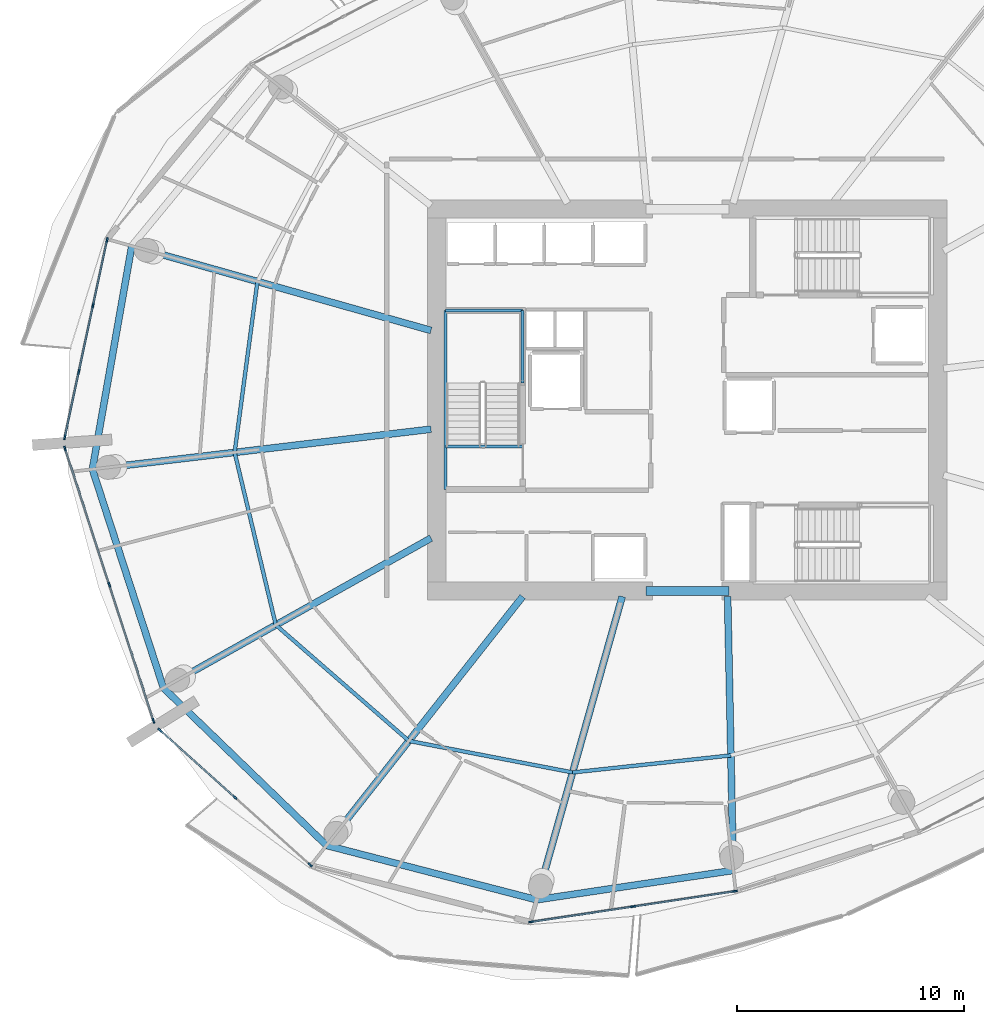
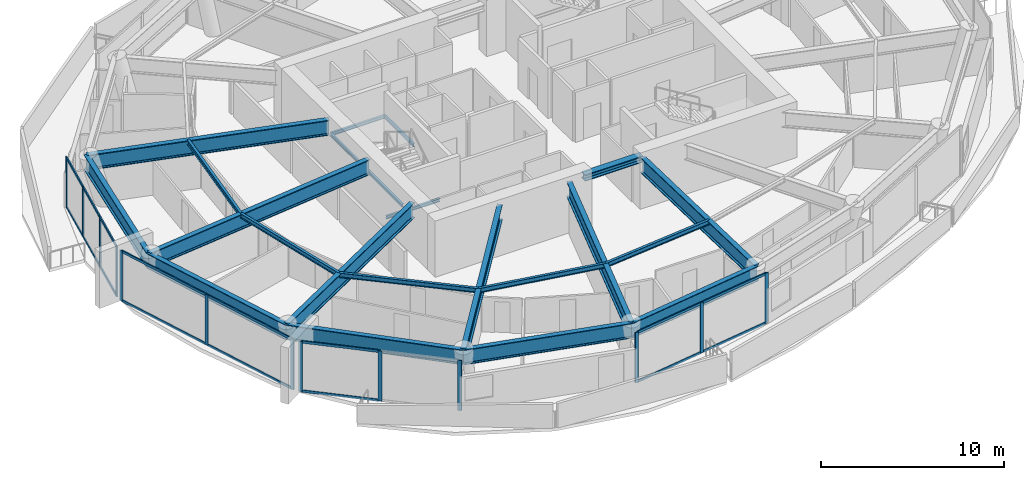
# One storey, part 5 of 19: 29 members, 21 beams, 4 elements without a shape of their own.
"""IFC4 building model written with IfcOpenShell, lengths in metres."""

from ifc_helpers import new_model, si_unit, direction, frame, origin, origin_2d, place, context, subcontext, project, spatial, rectangle, i_section, extrude, material, layer, layer_set, material_profile, profile_set, type_object, element, aggregate, save


model = new_model("IFC4")

# Units and contexts
model_context = context("Model", 3, precision=1e-05, world=origin(), true_north=direction((0.0, 1.0)))
body_context = subcontext(model_context, "Body", "Model", "MODEL_VIEW")
ifc_project = project(units=[si_unit("LENGTHUNIT", "METRE"), si_unit("AREAUNIT", "SQUARE_METRE"), si_unit("VOLUMEUNIT", "CUBIC_METRE"), si_unit("PLANEANGLEUNIT", "RADIAN"), si_unit("MASSUNIT", "GRAM", prefix="KILO")], contexts=[model_context])

# Site, building, storey
site_placement = place(None, origin())
site = spatial("IfcSite", under=ifc_project, at=site_placement, CompositionType="ELEMENT")
building_placement = place(site_placement, origin())
building = spatial("IfcBuilding", under=site, at=building_placement, Name="Kazma Halo Residences", CompositionType="ELEMENT")
storey_placement = place(building_placement, frame((0.0, 0.0, 172.800048828125)))
storey = spatial("IfcBuildingStorey", under=building, at=storey_placement, Name="L43", CompositionType="ELEMENT", Elevation=172.800048828125)

# Beams
ifc_material_1 = material(Name="Steel S355", Category="steel")
ifc_material_profile_1 = material_profile(ifc_material_1, i_section(OverallWidth=0.408935546875, OverallDepth=0.425048828125, WebThickness=0.03271484375, FlangeThickness=0.052490234375, FilletRadius=0.02001953125, at=origin_2d()), Name="W360x421")
ifc_profile_set_1 = profile_set([ifc_material_profile_1], Name="Steel S355")
beam_type_1 = type_object("IfcBeamType", Name="BM-CORE-W360H", PredefinedType="BEAM", material=ifc_profile_set_1)
beam_1_placement = place(storey_placement, frame((46.60009765625, 33.60009765625, 3.137451171875), z_axis=(1.0, 0.0, 0.0), x_axis=(0.0, 1.0, 0.0)))
element("IfcBeam", 1, at=beam_1_placement, inside=storey, type_object=beam_type_1, Name="L43 core coupling beam S", PredefinedType="BEAM", context=body_context, shape_type="SweptSolid", body=[
    extrude(i_section(OverallWidth=0.408935546875, OverallDepth=0.425048828125, WebThickness=0.03271484375, FlangeThickness=0.052490234375, FilletRadius=0.02001953125, at=origin_2d()), origin(), (0.0, 0.0, 1.0), 3.64990234375),
])
ifc_material_profile_2 = material_profile(ifc_material_1, i_section(OverallWidth=0.1650390625, OverallDepth=0.31005859375, WebThickness=0.005859375, FlangeThickness=0.009765625, FilletRadius=0.011962890625, at=origin_2d()), Name="W310x38.7")
ifc_profile_set_2 = profile_set([ifc_material_profile_2], Name="Steel S355")
beam_type_2 = type_object("IfcBeamType", Name="BM-SEC-W310B", PredefinedType="JOIST", material=ifc_profile_set_2)
beam_2_placement = place(storey_placement, frame((29.51171875, 47.21435546875, 3.195068359375), z_axis=(-0.132393425989, -0.99119724614, 0.0), x_axis=(0.99119724614, -0.132393425989, 0.0)))
element("IfcBeam", 2, at=beam_2_placement, inside=storey, type_object=beam_type_2, Name="L43 circumferential floor joist 07", PredefinedType="JOIST", context=body_context, shape_type="SweptSolid", body=[
    extrude(i_section(OverallWidth=0.1650390625, OverallDepth=0.31005859375, WebThickness=0.005859375, FlangeThickness=0.009765625, FilletRadius=0.011962890625, at=origin_2d()), origin(), (0.0, 0.0, 1.0), 7.58837890625),
])
beam_3_placement = place(storey_placement, frame((28.507080078125, 39.69287109375, 3.195068359375), z_axis=(0.232250396636, -0.972656030291, 0.0), x_axis=(0.972656030291, 0.232250396636, 0.0)))
element("IfcBeam", 3, at=beam_3_placement, inside=storey, type_object=beam_type_2, Name="L43 circumferential floor joist 08", PredefinedType="JOIST", context=body_context, shape_type="SweptSolid", body=[
    extrude(i_section(OverallWidth=0.1650390625, OverallDepth=0.31005859375, WebThickness=0.005859375, FlangeThickness=0.009765625, FilletRadius=0.011962890625, at=origin_2d()), origin(), (0.0, 0.0, 1.0), 7.80712890625),
])
beam_4_placement = place(storey_placement, frame((30.3203125, 32.09912109375, 3.195068359375), z_axis=(0.7540338673, -0.656835540272, 0.0), x_axis=(0.656835540272, 0.7540338673, 0.0)))
element("IfcBeam", 4, at=beam_4_placement, inside=storey, type_object=beam_type_2, Name="L43 circumferential floor joist 09", PredefinedType="JOIST", context=body_context, shape_type="SweptSolid", body=[
    extrude(i_section(OverallWidth=0.1650390625, OverallDepth=0.31005859375, WebThickness=0.005859375, FlangeThickness=0.009765625, FilletRadius=0.011962890625, at=origin_2d()), origin(), (0.0, 0.0, 1.0), 7.763916015625),
])
beam_5_placement = place(storey_placement, frame((36.174560546875, 26.99951171875, 3.195068359375), z_axis=(0.981944913609, -0.18916708656, 0.0), x_axis=(0.18916708656, 0.981944913609, 0.0)))
element("IfcBeam", 5, at=beam_5_placement, inside=storey, type_object=beam_type_2, Name="L43 circumferential floor joist 10", PredefinedType="JOIST", context=body_context, shape_type="SweptSolid", body=[
    extrude(i_section(OverallWidth=0.1650390625, OverallDepth=0.31005859375, WebThickness=0.005859375, FlangeThickness=0.009765625, FilletRadius=0.011962890625, at=origin_2d()), origin(), (0.0, 0.0, 1.0), 7.3359375),
])
beam_6_placement = place(storey_placement, frame((43.3779296875, 25.61181640625, 3.195068359375), z_axis=(0.994266765045, 0.106928012823, 0.0), x_axis=(-0.106928012823, 0.994266765045, 0.0)))
element("IfcBeam", 6, at=beam_6_placement, inside=storey, type_object=beam_type_2, Name="L43 circumferential floor joist 11", PredefinedType="JOIST", context=body_context, shape_type="SweptSolid", body=[
    extrude(i_section(OverallWidth=0.1650390625, OverallDepth=0.31005859375, WebThickness=0.005859375, FlangeThickness=0.009765625, FilletRadius=0.011962890625, at=origin_2d()), origin(), (0.0, 0.0, 1.0), 7.00732421875),
])
ifc_material_profile_3 = material_profile(ifc_material_1, i_section(OverallWidth=0.302001953125, OverallDepth=1.01806640625, WebThickness=0.021484375, FlangeThickness=0.049072265625, FilletRadius=0.028076171875, at=origin_2d()), Name="W1000x443")
ifc_profile_set_3 = profile_set([ifc_material_profile_3], Name="Steel S355")
beam_type_3 = type_object("IfcBeamType", Name="BM-TRANS-W1000A", PredefinedType="BEAM", material=ifc_profile_set_3)
beam_7_placement = place(storey_placement, frame((37.14990234375, 45.06005859375, 2.841064453125), z_axis=(-0.962452903132, 0.271448723064, 0.0), x_axis=(-0.271448723064, -0.962452903132, 0.0)))
element("IfcBeam", 7, at=beam_7_placement, inside=storey, type_object=beam_type_3, Name="L43 podium radial transfer girder 07", PredefinedType="BEAM", context=body_context, shape_type="SweptSolid", body=[
    extrude(i_section(OverallWidth=0.302001953125, OverallDepth=1.01806640625, WebThickness=0.021484375, FlangeThickness=0.049072265625, FilletRadius=0.028076171875, at=origin_2d()), origin(), (0.0, 0.0, 1.0), 13.683349609375),
])
beam_8_placement = place(storey_placement, frame((37.14990234375, 40.7158203125, 2.841064453125), z_axis=(-0.993068846291, -0.117534107928, 0.0), x_axis=(0.117534107928, -0.993068846291, 0.0)))
element("IfcBeam", 8, at=beam_8_placement, inside=storey, type_object=beam_type_3, Name="L43 podium radial transfer girder 08", PredefinedType="BEAM", context=body_context, shape_type="SweptSolid", body=[
    extrude(i_section(OverallWidth=0.302001953125, OverallDepth=1.01806640625, WebThickness=0.021484375, FlangeThickness=0.049072265625, FilletRadius=0.028076171875, at=origin_2d()), origin(), (0.0, 0.0, 1.0), 15.005615234375),
])
beam_9_placement = place(storey_placement, frame((37.14990234375, 35.923583984375, 2.841064453125), z_axis=(-0.872496761299, -0.488619894727, 0.0), x_axis=(0.488619894727, -0.872496761299, 0.0)))
element("IfcBeam", 9, at=beam_9_placement, inside=storey, type_object=beam_type_3, Name="L43 podium radial transfer girder 09", PredefinedType="BEAM", context=body_context, shape_type="SweptSolid", body=[
    extrude(i_section(OverallWidth=0.302001953125, OverallDepth=1.01806640625, WebThickness=0.021484375, FlangeThickness=0.049072265625, FilletRadius=0.028076171875, at=origin_2d()), origin(), (0.0, 0.0, 1.0), 13.49560546875),
])
beam_10_placement = place(storey_placement, frame((41.180908203125, 33.35009765625, 2.841064453125), z_axis=(-0.619099088923, -0.785312879109, 0.0), x_axis=(0.785312879109, -0.619099088923, 0.0)))
element("IfcBeam", 10, at=beam_10_placement, inside=storey, type_object=beam_type_3, Name="L43 podium radial transfer girder 10", PredefinedType="BEAM", context=body_context, shape_type="SweptSolid", body=[
    extrude(i_section(OverallWidth=0.302001953125, OverallDepth=1.01806640625, WebThickness=0.021484375, FlangeThickness=0.049072265625, FilletRadius=0.028076171875, at=origin_2d()), origin(), (0.0, 0.0, 1.0), 13.942138671875),
])
beam_11_placement = place(storey_placement, frame((45.560302734375, 33.35009765625, 2.841064453125), z_axis=(-0.27143506632, -0.962456754754, 0.0), x_axis=(0.962456754754, -0.27143506632, 0.0)))
element("IfcBeam", 11, at=beam_11_placement, inside=storey, type_object=beam_type_3, Name="L43 podium radial transfer girder 11", PredefinedType="BEAM", context=body_context, shape_type="SweptSolid", body=[
    extrude(i_section(OverallWidth=0.302001953125, OverallDepth=1.01806640625, WebThickness=0.021484375, FlangeThickness=0.049072265625, FilletRadius=0.028076171875, at=origin_2d()), origin(), (0.0, 0.0, 1.0), 13.8623046875),
])
beam_12_placement = place(storey_placement, frame((50.199951171875, 33.35009765625, 2.841064453125), z_axis=(0.020742760396, -0.9997848458, 0.0), x_axis=(0.9997848458, 0.020742760396, 0.0)))
element("IfcBeam", 12, at=beam_12_placement, inside=storey, type_object=beam_type_3, Name="L43 podium radial transfer girder 12", PredefinedType="BEAM", context=body_context, shape_type="SweptSolid", body=[
    extrude(i_section(OverallWidth=0.302001953125, OverallDepth=1.01806640625, WebThickness=0.021484375, FlangeThickness=0.049072265625, FilletRadius=0.028076171875, at=origin_2d()), origin(), (0.0, 0.0, 1.0), 12.052490234375),
])
ifc_material_profile_4 = material_profile(ifc_material_1, i_section(OverallWidth=0.300048828125, OverallDepth=1.0, WebThickness=0.01904296875, FlangeThickness=0.0400390625, FilletRadius=0.02587890625, at=origin_2d()), Name="W1000x371")
ifc_profile_set_4 = profile_set([ifc_material_profile_4], Name="Steel S355")
beam_type_4 = type_object("IfcBeamType", Name="BM-TRANS-W1000B", PredefinedType="BEAM", material=ifc_profile_set_4)
beam_13_placement = place(storey_placement, frame((23.980224609375, 48.7744140625, 2.849853515625), z_axis=(-0.173648484202, -0.984807698962, 0.0), x_axis=(0.984807698962, -0.173648484202, 0.0)))
element("IfcBeam", 13, at=beam_13_placement, inside=storey, type_object=beam_type_4, Name="L43 perimeter ring beam 07", PredefinedType="BEAM", context=body_context, shape_type="SweptSolid", body=[
    extrude(i_section(OverallWidth=0.300048828125, OverallDepth=1.0, WebThickness=0.01904296875, FlangeThickness=0.0400390625, FilletRadius=0.02587890625, at=origin_2d()), origin(), (0.0, 0.0, 1.0), 9.973876953125),
])
beam_14_placement = place(storey_placement, frame((22.248291015625, 38.9521484375, 2.849853515625), z_axis=(0.309023327426, -0.951054458539, 0.0), x_axis=(0.951054458539, 0.309023327426, 0.0)))
element("IfcBeam", 14, at=beam_14_placement, inside=storey, type_object=beam_type_4, Name="L43 perimeter ring beam 08", PredefinedType="BEAM", context=body_context, shape_type="SweptSolid", body=[
    extrude(i_section(OverallWidth=0.300048828125, OverallDepth=1.0, WebThickness=0.01904296875, FlangeThickness=0.0400390625, FilletRadius=0.02587890625, at=origin_2d()), origin(), (0.0, 0.0, 1.0), 10.117919921875),
])
beam_15_placement = place(storey_placement, frame((25.375, 29.329345703125, 2.849853515625), z_axis=(0.71933650181, -0.694661786169, 0.0), x_axis=(0.694661786169, 0.71933650181, 0.0)))
element("IfcBeam", 15, at=beam_15_placement, inside=storey, type_object=beam_type_4, Name="L43 perimeter ring beam 09", PredefinedType="BEAM", context=body_context, shape_type="SweptSolid", body=[
    extrude(i_section(OverallWidth=0.300048828125, OverallDepth=1.0, WebThickness=0.01904296875, FlangeThickness=0.0400390625, FilletRadius=0.02587890625, at=origin_2d()), origin(), (0.0, 0.0, 1.0), 9.9736328125),
])
beam_16_placement = place(storey_placement, frame((32.54931640625, 22.401123046875, 2.849853515625), z_axis=(0.968120950739, -0.25048318255, 0.0), x_axis=(0.25048318255, 0.968120950739, 0.0)))
element("IfcBeam", 16, at=beam_16_placement, inside=storey, type_object=beam_type_4, Name="L43 perimeter ring beam 10", PredefinedType="BEAM", context=body_context, shape_type="SweptSolid", body=[
    extrude(i_section(OverallWidth=0.300048828125, OverallDepth=1.0, WebThickness=0.01904296875, FlangeThickness=0.0400390625, FilletRadius=0.02587890625, at=origin_2d()), origin(), (0.0, 0.0, 1.0), 9.552734375),
])
beam_17_placement = place(storey_placement, frame((41.797607421875, 20.00830078125, 2.849853515625), z_axis=(0.98903439143, 0.147685383732, 0.0), x_axis=(-0.147685383732, 0.98903439143, 0.0)))
element("IfcBeam", 17, at=beam_17_placement, inside=storey, type_object=beam_type_4, Name="L43 perimeter ring beam 11", PredefinedType="BEAM", context=body_context, shape_type="SweptSolid", body=[
    extrude(i_section(OverallWidth=0.300048828125, OverallDepth=1.0, WebThickness=0.01904296875, FlangeThickness=0.0400390625, FilletRadius=0.02587890625, at=origin_2d()), origin(), (0.0, 0.0, 1.0), 8.748291015625),
])
ifc_material_profile_5 = material_profile(ifc_material_1, i_section(OverallWidth=0.133056640625, OverallDepth=0.20703125, WebThickness=0.005859375, FlangeThickness=0.00830078125, FilletRadius=0.010009765625, at=origin_2d()), Name="W200x26.6")
ifc_profile_set_5 = profile_set([ifc_material_profile_5], Name="Steel S355")
beam_type_5 = type_object("IfcBeamType", Name="BM-TRIM-W200", PredefinedType="BEAM", material=ifc_profile_set_5)
beam_18_placement = place(storey_placement, frame((37.800048828125, 39.949951171875, -0.360107421875), z_axis=(1.0, 0.0, 0.0), x_axis=(0.0, 1.0, 0.0)))
element("IfcBeam", 18, at=beam_18_placement, inside=storey, type_object=beam_type_5, Name="L43 ST-01 floor landing support beam", PredefinedType="BEAM", context=body_context, shape_type="SweptSolid", body=[
    extrude(i_section(OverallWidth=0.133056640625, OverallDepth=0.20703125, WebThickness=0.005859375, FlangeThickness=0.00830078125, FilletRadius=0.010009765625, at=origin_2d()), origin(), (0.0, 0.0, 1.0), 3.3798828125),
])
beam_19_placement = place(storey_placement, frame((37.780029296875, 38.06005859375, 1.570068359375), z_axis=(0.0, 1.0, 0.0), x_axis=(-1.0, 0.0, 0.0)))
element("IfcBeam", 19, at=beam_19_placement, inside=storey, type_object=beam_type_5, Name="L43 ST-01 landing west wall ledger", PredefinedType="BEAM", context=body_context, shape_type="SweptSolid", body=[
    extrude(i_section(OverallWidth=0.133056640625, OverallDepth=0.20703125, WebThickness=0.005859375, FlangeThickness=0.00830078125, FilletRadius=0.010009765625, at=origin_2d()), origin(), (0.0, 0.0, 1.0), 7.8798828125),
])
beam_20_placement = place(storey_placement, frame((41.179931640625, 42.75, 1.570068359375), z_axis=(0.0, 1.0, 0.0), x_axis=(-1.0, 0.0, 0.0)))
element("IfcBeam", 20, at=beam_20_placement, inside=storey, type_object=beam_type_5, Name="L43 ST-01 landing east wall ledger", PredefinedType="BEAM", context=body_context, shape_type="SweptSolid", body=[
    extrude(i_section(OverallWidth=0.133056640625, OverallDepth=0.20703125, WebThickness=0.005859375, FlangeThickness=0.00830078125, FilletRadius=0.010009765625, at=origin_2d()), origin(), (0.0, 0.0, 1.0), 3.18994140625),
])
beam_21_placement = place(storey_placement, frame((37.780029296875, 45.93994140625, 1.570068359375), z_axis=(1.0, 0.0, 0.0), x_axis=(0.0, 1.0, 0.0)))
element("IfcBeam", 21, at=beam_21_placement, inside=storey, type_object=beam_type_5, Name="L43 ST-01 landing end wall ledger", PredefinedType="BEAM", context=body_context, shape_type="SweptSolid", body=[
    extrude(i_section(OverallWidth=0.133056640625, OverallDepth=0.20703125, WebThickness=0.005859375, FlangeThickness=0.00830078125, FilletRadius=0.010009765625, at=origin_2d()), origin(), (0.0, 0.0, 1.0), 3.39990234375),
])

# Curtain wall, members
ifc_material_2 = material(Name="Aluminium AW-6063 T6 and Triple-Silver Low-E Glass", Category="aluminium")
ifc_layer = layer(ifc_material_2, 0.219970703125)
ifc_layer_set = layer_set([ifc_layer], Name="Aluminium AW-6063 T6 and Triple-Silver Low-E Glass")
curtain_wall_type = type_object("IfcCurtainWallType", Name="CW-SYS-4", PredefinedType="NOTDEFINED", material=ifc_layer_set)
curtain_wall_1_placement = place(storey_placement, origin())
curtain_wall_1 = element("IfcCurtainWall", 22, at=curtain_wall_1_placement, inside=storey, type_object=curtain_wall_type, Name="L43 unitised curtain wall B07", PredefinedType="NOTDEFINED")
ifc_material_3 = material(Name="Aluminium AW-6063 T6", Category="aluminium")
ifc_material_profile_6 = material_profile(ifc_material_3, rectangle(XDim=0.074951171875, YDim=0.219970703125, at=origin_2d()), Name="CWM-75x220")
ifc_profile_set_6 = profile_set([ifc_material_profile_6], Name="Aluminium AW-6063 T6")
member_type_1 = type_object("IfcMemberType", Name="CW-SYS-4-MUL", PredefinedType="MULLION", material=ifc_profile_set_6)
member_1_placement = place(storey_placement, frame((22.894775390625, 49.04150390625, 0.0), z_axis=(0.0, 0.0, 1.0), x_axis=(0.977764957684, -0.209703809037, 0.0)))
member_1 = element("IfcMember", 23, at=member_1_placement, type_object=member_type_1, Name="CWS-4 mullion 1", PredefinedType="MULLION", context=body_context, shape_type="SweptSolid", body=[
    extrude(rectangle(XDim=0.074951171875, YDim=0.219970703125, at=origin_2d()), origin(), (0.0, 0.0, 1.0), 3.349853515625),
])
member_2_placement = place(storey_placement, frame((22.27685546875, 46.160888671875, 0.0), z_axis=(0.0, 0.0, 1.0), x_axis=(0.977764957684, -0.209703809037, 0.0)))
member_2 = element("IfcMember", 24, at=member_2_placement, type_object=member_type_1, Name="CWS-4 mullion 2", PredefinedType="MULLION", context=body_context, shape_type="SweptSolid", body=[
    extrude(rectangle(XDim=0.074951171875, YDim=0.219970703125, at=origin_2d()), origin(), (0.0, 0.0, 1.0), 3.349853515625),
])
member_3_placement = place(storey_placement, frame((21.6513671875, 43.24365234375, 0.0), z_axis=(0.0, 0.0, 1.0), x_axis=(0.977764957684, -0.209703809037, 0.0)))
member_3 = element("IfcMember", 25, at=member_3_placement, type_object=member_type_1, Name="CWS-4 mullion 3", PredefinedType="MULLION", context=body_context, shape_type="SweptSolid", body=[
    extrude(rectangle(XDim=0.074951171875, YDim=0.219970703125, at=origin_2d()), origin(), (0.0, 0.0, 1.0), 3.349853515625),
])
member_4_placement = place(storey_placement, frame((21.033447265625, 40.36328125, 0.0), z_axis=(0.0, 0.0, 1.0), x_axis=(0.977764957684, -0.209703809037, 0.0)))
member_4 = element("IfcMember", 26, at=member_4_placement, type_object=member_type_1, Name="CWS-4 mullion 4", PredefinedType="MULLION", context=body_context, shape_type="SweptSolid", body=[
    extrude(rectangle(XDim=0.074951171875, YDim=0.219970703125, at=origin_2d()), origin(), (0.0, 0.0, 1.0), 3.349853515625),
])

curtain_wall_2_placement = place(storey_placement, origin())
curtain_wall_2 = element("IfcCurtainWall", 27, at=curtain_wall_2_placement, inside=storey, type_object=curtain_wall_type, Name="L43 unitised curtain wall B08", PredefinedType="NOTDEFINED")
member_5_placement = place(storey_placement, frame((21.044189453125, 39.86572265625, 0.0), z_axis=(0.0, 0.0, 1.0), x_axis=(0.951057547609, 0.3090138203, 0.0)))
member_5 = element("IfcMember", 28, at=member_5_placement, type_object=member_type_1, Name="CWS-4 mullion 1", PredefinedType="MULLION", context=body_context, shape_type="SweptSolid", body=[
    extrude(rectangle(XDim=0.074951171875, YDim=0.219970703125, at=origin_2d()), origin(), (0.0, 0.0, 1.0), 3.349853515625),
])
member_6_placement = place(storey_placement, frame((22.990966796875, 33.8740234375, 0.0), z_axis=(0.0, 0.0, 1.0), x_axis=(0.951057547609, 0.3090138203, 0.0)))
member_6 = element("IfcMember", 29, at=member_6_placement, type_object=member_type_1, Name="CWS-4 mullion 2", PredefinedType="MULLION", context=body_context, shape_type="SweptSolid", body=[
    extrude(rectangle(XDim=0.074951171875, YDim=0.219970703125, at=origin_2d()), origin(), (0.0, 0.0, 1.0), 3.349853515625),
])
member_7_placement = place(storey_placement, frame((24.937744140625, 27.882568359375, 0.0), z_axis=(0.0, 0.0, 1.0), x_axis=(0.951057547609, 0.3090138203, 0.0)))
member_7 = element("IfcMember", 30, at=member_7_placement, type_object=member_type_1, Name="CWS-4 mullion 3", PredefinedType="MULLION", context=body_context, shape_type="SweptSolid", body=[
    extrude(rectangle(XDim=0.074951171875, YDim=0.219970703125, at=origin_2d()), origin(), (0.0, 0.0, 1.0), 3.349853515625),
])

curtain_wall_3_placement = place(storey_placement, origin())
curtain_wall_3 = element("IfcCurtainWall", 31, at=curtain_wall_3_placement, inside=storey, type_object=curtain_wall_type, Name="L43 unitised curtain wall B09", PredefinedType="NOTDEFINED")
member_8_placement = place(storey_placement, frame((25.221435546875, 27.4736328125, 0.0), z_axis=(0.0, 0.0, 1.0), x_axis=(0.667770096247, 0.744367582957, 0.0)))
member_8 = element("IfcMember", 32, at=member_8_placement, type_object=member_type_1, Name="CWS-4 mullion 1", PredefinedType="MULLION", context=body_context, shape_type="SweptSolid", body=[
    extrude(rectangle(XDim=0.074951171875, YDim=0.219970703125, at=origin_2d()), origin(), (0.0, 0.0, 1.0), 3.349853515625),
])
member_9_placement = place(storey_placement, frame((28.52490234375, 24.51025390625, 0.0), z_axis=(0.0, 0.0, 1.0), x_axis=(0.667770096247, 0.744367582957, 0.0)))
member_9 = element("IfcMember", 33, at=member_9_placement, type_object=member_type_1, Name="CWS-4 mullion 2", PredefinedType="MULLION", context=body_context, shape_type="SweptSolid", body=[
    extrude(rectangle(XDim=0.074951171875, YDim=0.219970703125, at=origin_2d()), origin(), (0.0, 0.0, 1.0), 3.349853515625),
])
member_10_placement = place(storey_placement, frame((31.828369140625, 21.546630859375, 0.0), z_axis=(0.0, 0.0, 1.0), x_axis=(0.667770096247, 0.744367582957, 0.0)))
member_10 = element("IfcMember", 34, at=member_10_placement, type_object=member_type_1, Name="CWS-4 mullion 3", PredefinedType="MULLION", context=body_context, shape_type="SweptSolid", body=[
    extrude(rectangle(XDim=0.074951171875, YDim=0.219970703125, at=origin_2d()), origin(), (0.0, 0.0, 1.0), 3.349853515625),
])

curtain_wall_4_placement = place(storey_placement, origin())
curtain_wall_4 = element("IfcCurtainWall", 35, at=curtain_wall_4_placement, inside=storey, type_object=curtain_wall_type, Name="L43 unitised curtain wall B11", PredefinedType="NOTDEFINED")
member_11_placement = place(storey_placement, frame((41.559326171875, 19.037109375, 0.0), z_axis=(0.0, 0.0, 1.0), x_axis=(-0.148821022686, 0.988864148004, 0.0)))
member_11 = element("IfcMember", 36, at=member_11_placement, type_object=member_type_1, Name="CWS-4 mullion 1", PredefinedType="MULLION", context=body_context, shape_type="SweptSolid", body=[
    extrude(rectangle(XDim=0.074951171875, YDim=0.219970703125, at=origin_2d()), origin(), (0.0, 0.0, 1.0), 3.349853515625),
])
member_12_placement = place(storey_placement, frame((46.039794921875, 19.71142578125, 0.0), z_axis=(0.0, 0.0, 1.0), x_axis=(-0.148821022686, 0.988864148004, 0.0)))
member_12 = element("IfcMember", 37, at=member_12_placement, type_object=member_type_1, Name="CWS-4 mullion 2", PredefinedType="MULLION", context=body_context, shape_type="SweptSolid", body=[
    extrude(rectangle(XDim=0.074951171875, YDim=0.219970703125, at=origin_2d()), origin(), (0.0, 0.0, 1.0), 3.349853515625),
])
member_13_placement = place(storey_placement, frame((50.5205078125, 20.3857421875, 0.0), z_axis=(0.0, 0.0, 1.0), x_axis=(-0.148821022686, 0.988864148004, 0.0)))
member_13 = element("IfcMember", 38, at=member_13_placement, type_object=member_type_1, Name="CWS-4 mullion 3", PredefinedType="MULLION", context=body_context, shape_type="SweptSolid", body=[
    extrude(rectangle(XDim=0.074951171875, YDim=0.219970703125, at=origin_2d()), origin(), (0.0, 0.0, 1.0), 3.349853515625),
])

# Member
ifc_material_profile_7 = material_profile(ifc_material_3, rectangle(XDim=0.074951171875, YDim=0.1650390625, at=origin_2d()), Name="CWT-75x165")
ifc_profile_set_7 = profile_set([ifc_material_profile_7], Name="Aluminium AW-6063 T6")
member_type_2 = type_object("IfcMemberType", Name="CW-SYS-4-TRN", PredefinedType="USERDEFINED", material=ifc_profile_set_7)
member_14_placement = place(storey_placement, frame((22.886962890625, 49.0048828125, 0.037353515625), z_axis=(-0.209703309269, -0.977765064871, 0.0), x_axis=(0.977765064871, -0.209703309269, 0.0)))
member_14 = element("IfcMember", 39, at=member_14_placement, type_object=member_type_2, Name="CWS-4 transom 1.1", ObjectType="TRANSOM", PredefinedType="USERDEFINED", context=body_context, shape_type="SweptSolid", body=[
    extrude(rectangle(XDim=0.074951171875, YDim=0.1650390625, at=origin_2d()), origin(), (0.0, 0.0, 1.0), 2.870849609375),
])

member_15_placement = place(storey_placement, frame((22.886962890625, 49.0048828125, 3.3125), z_axis=(-0.209703309269, -0.977765064871, 0.0), x_axis=(0.977765064871, -0.209703309269, 0.0)))
member_15 = element("IfcMember", 40, at=member_15_placement, type_object=member_type_2, Name="CWS-4 transom 1.2", ObjectType="TRANSOM", PredefinedType="USERDEFINED", context=body_context, shape_type="SweptSolid", body=[
    extrude(rectangle(XDim=0.074951171875, YDim=0.1650390625, at=origin_2d()), origin(), (0.0, 0.0, 1.0), 2.870849609375),
])

member_16_placement = place(storey_placement, frame((22.26904296875, 46.124267578125, 0.037353515625), z_axis=(-0.209689601293, -0.977768004748, 0.0), x_axis=(0.977768004748, -0.209689601293, 0.0)))
member_16 = element("IfcMember", 41, at=member_16_placement, type_object=member_type_2, Name="CWS-4 transom 2.1", ObjectType="TRANSOM", PredefinedType="USERDEFINED", context=body_context, shape_type="SweptSolid", body=[
    extrude(rectangle(XDim=0.074951171875, YDim=0.1650390625, at=origin_2d()), origin(), (0.0, 0.0, 1.0), 2.908447265625),
])

member_17_placement = place(storey_placement, frame((22.26904296875, 46.124267578125, 3.3125), z_axis=(-0.209689601293, -0.977768004748, 0.0), x_axis=(0.977768004748, -0.209689601293, 0.0)))
member_17 = element("IfcMember", 42, at=member_17_placement, type_object=member_type_2, Name="CWS-4 transom 2.2", ObjectType="TRANSOM", PredefinedType="USERDEFINED", context=body_context, shape_type="SweptSolid", body=[
    extrude(rectangle(XDim=0.074951171875, YDim=0.1650390625, at=origin_2d()), origin(), (0.0, 0.0, 1.0), 2.908447265625),
])

member_18_placement = place(storey_placement, frame((21.643310546875, 43.20703125, 0.037353515625), z_axis=(-0.209703309269, -0.977765064871, 0.0), x_axis=(0.977765064871, -0.209703309269, 0.0)))
member_18 = element("IfcMember", 43, at=member_18_placement, type_object=member_type_2, Name="CWS-4 transom 3.1", ObjectType="TRANSOM", PredefinedType="USERDEFINED", context=body_context, shape_type="SweptSolid", body=[
    extrude(rectangle(XDim=0.074951171875, YDim=0.1650390625, at=origin_2d()), origin(), (0.0, 0.0, 1.0), 2.870849609375),
])

member_19_placement = place(storey_placement, frame((21.643310546875, 43.20703125, 3.3125), z_axis=(-0.209703309269, -0.977765064871, 0.0), x_axis=(0.977765064871, -0.209703309269, 0.0)))
member_19 = element("IfcMember", 44, at=member_19_placement, type_object=member_type_2, Name="CWS-4 transom 3.2", ObjectType="TRANSOM", PredefinedType="USERDEFINED", context=body_context, shape_type="SweptSolid", body=[
    extrude(rectangle(XDim=0.074951171875, YDim=0.1650390625, at=origin_2d()), origin(), (0.0, 0.0, 1.0), 2.870849609375),
])

aggregate(curtain_wall_1, [member_1, member_2, member_3, member_4, member_14, member_15, member_16, member_17, member_18, member_19])

member_20_placement = place(storey_placement, frame((21.0556640625, 39.830078125, 0.037353515625), z_axis=(0.309006258762, -0.95106000444, 0.0), x_axis=(0.95106000444, 0.309006258762, 0.0)))
member_20 = element("IfcMember", 45, at=member_20_placement, type_object=member_type_2, Name="CWS-4 transom 1.1", ObjectType="TRANSOM", PredefinedType="USERDEFINED", context=body_context, shape_type="SweptSolid", body=[
    extrude(rectangle(XDim=0.074951171875, YDim=0.1650390625, at=origin_2d()), origin(), (0.0, 0.0, 1.0), 6.22509765625),
])

member_21_placement = place(storey_placement, frame((21.0556640625, 39.830078125, 3.3125), z_axis=(0.309006258762, -0.95106000444, 0.0), x_axis=(0.95106000444, 0.309006258762, 0.0)))
member_21 = element("IfcMember", 46, at=member_21_placement, type_object=member_type_2, Name="CWS-4 transom 1.2", ObjectType="TRANSOM", PredefinedType="USERDEFINED", context=body_context, shape_type="SweptSolid", body=[
    extrude(rectangle(XDim=0.074951171875, YDim=0.1650390625, at=origin_2d()), origin(), (0.0, 0.0, 1.0), 6.22509765625),
])

member_22_placement = place(storey_placement, frame((23.00244140625, 33.83837890625, 0.037353515625), z_axis=(0.309017784977, -0.951056259413, 0.0), x_axis=(0.951056259413, 0.309017784977, 0.0)))
member_22 = element("IfcMember", 47, at=member_22_placement, type_object=member_type_2, Name="CWS-4 transom 2.1", ObjectType="TRANSOM", PredefinedType="USERDEFINED", context=body_context, shape_type="SweptSolid", body=[
    extrude(rectangle(XDim=0.074951171875, YDim=0.1650390625, at=origin_2d()), origin(), (0.0, 0.0, 1.0), 6.224853515625),
])

member_23_placement = place(storey_placement, frame((23.00244140625, 33.83837890625, 3.3125), z_axis=(0.309017784977, -0.951056259413, 0.0), x_axis=(0.951056259413, 0.309017784977, 0.0)))
member_23 = element("IfcMember", 48, at=member_23_placement, type_object=member_type_2, Name="CWS-4 transom 2.2", ObjectType="TRANSOM", PredefinedType="USERDEFINED", context=body_context, shape_type="SweptSolid", body=[
    extrude(rectangle(XDim=0.074951171875, YDim=0.1650390625, at=origin_2d()), origin(), (0.0, 0.0, 1.0), 6.224853515625),
])

aggregate(curtain_wall_2, [member_5, member_6, member_7, member_20, member_21, member_22, member_23])

member_24_placement = place(storey_placement, frame((25.24951171875, 27.44873046875, 0.037353515625), z_axis=(0.744344978888, -0.66779529229, 0.0), x_axis=(0.66779529229, 0.744344978888, 0.0)))
member_24 = element("IfcMember", 49, at=member_24_placement, type_object=member_type_2, Name="CWS-4 transom 1.1", ObjectType="TRANSOM", PredefinedType="USERDEFINED", context=body_context, shape_type="SweptSolid", body=[
    extrude(rectangle(XDim=0.074951171875, YDim=0.1650390625, at=origin_2d()), origin(), (0.0, 0.0, 1.0), 4.363037109375),
])

member_25_placement = place(storey_placement, frame((25.24951171875, 27.44873046875, 3.3125), z_axis=(0.744344978888, -0.66779529229, 0.0), x_axis=(0.66779529229, 0.744344978888, 0.0)))
member_25 = element("IfcMember", 50, at=member_25_placement, type_object=member_type_2, Name="CWS-4 transom 1.2", ObjectType="TRANSOM", PredefinedType="USERDEFINED", context=body_context, shape_type="SweptSolid", body=[
    extrude(rectangle(XDim=0.074951171875, YDim=0.1650390625, at=origin_2d()), origin(), (0.0, 0.0, 1.0), 4.363037109375),
])

aggregate(curtain_wall_3, [member_8, member_9, member_10, member_24, member_25])

member_26_placement = place(storey_placement, frame((41.596435546875, 19.042724609375, 0.037353515625), z_axis=(0.988866721231, 0.148803923478, 0.0), x_axis=(-0.148803923478, 0.988866721231, 0.0)))
member_26 = element("IfcMember", 51, at=member_26_placement, type_object=member_type_2, Name="CWS-4 transom 1.1", ObjectType="TRANSOM", PredefinedType="USERDEFINED", context=body_context, shape_type="SweptSolid", body=[
    extrude(rectangle(XDim=0.074951171875, YDim=0.1650390625, at=origin_2d()), origin(), (0.0, 0.0, 1.0), 4.4560546875),
])

member_27_placement = place(storey_placement, frame((41.596435546875, 19.042724609375, 3.3125), z_axis=(0.988866721231, 0.148803923478, 0.0), x_axis=(-0.148803923478, 0.988866721231, 0.0)))
member_27 = element("IfcMember", 52, at=member_27_placement, type_object=member_type_2, Name="CWS-4 transom 1.2", ObjectType="TRANSOM", PredefinedType="USERDEFINED", context=body_context, shape_type="SweptSolid", body=[
    extrude(rectangle(XDim=0.074951171875, YDim=0.1650390625, at=origin_2d()), origin(), (0.0, 0.0, 1.0), 4.4560546875),
])

member_28_placement = place(storey_placement, frame((46.076904296875, 19.717041015625, 0.037353515625), z_axis=(0.988866721231, 0.148803923478, 0.0), x_axis=(-0.148803923478, 0.988866721231, 0.0)))
member_28 = element("IfcMember", 53, at=member_28_placement, type_object=member_type_2, Name="CWS-4 transom 2.1", ObjectType="TRANSOM", PredefinedType="USERDEFINED", context=body_context, shape_type="SweptSolid", body=[
    extrude(rectangle(XDim=0.074951171875, YDim=0.1650390625, at=origin_2d()), origin(), (0.0, 0.0, 1.0), 4.4560546875),
])

member_29_placement = place(storey_placement, frame((46.076904296875, 19.717041015625, 3.3125), z_axis=(0.988866721231, 0.148803923478, 0.0), x_axis=(-0.148803923478, 0.988866721231, 0.0)))
member_29 = element("IfcMember", 54, at=member_29_placement, type_object=member_type_2, Name="CWS-4 transom 2.2", ObjectType="TRANSOM", PredefinedType="USERDEFINED", context=body_context, shape_type="SweptSolid", body=[
    extrude(rectangle(XDim=0.074951171875, YDim=0.1650390625, at=origin_2d()), origin(), (0.0, 0.0, 1.0), 4.4560546875),
])

aggregate(curtain_wall_4, [member_11, member_12, member_13, member_26, member_27, member_28, member_29])

save(model, "model.ifc")
